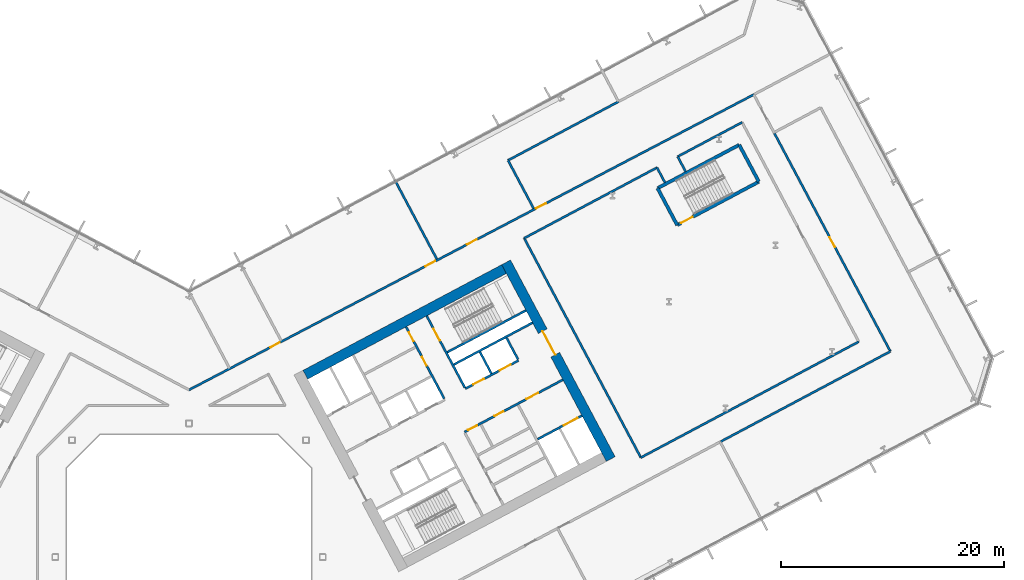
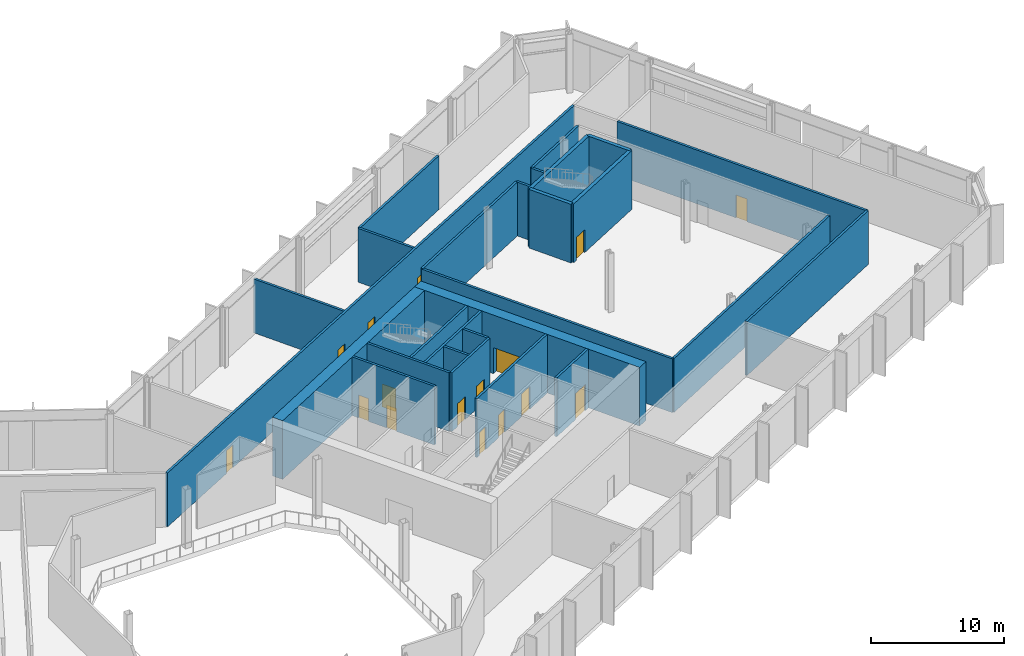
# One storey, part 16 of 32: 27 walls, 16 doors, 16 openings.
"""IFC4 building model written with IfcOpenShell, lengths in metres."""

from ifc_helpers import new_model, si_unit, direction, frame, frame_2d, origin, place, context, subcontext, project, spatial, rectangle, extrude, material, layer, layer_set, type_object, element, fill, save


model = new_model("IFC4")

# Units and contexts
model_context = context("Model", 3, precision=1e-05, world=origin(), true_north=direction((0.0, 1.0)))
body_context = subcontext(model_context, "Body", "Model", "MODEL_VIEW")
ifc_project = project(units=[si_unit("LENGTHUNIT", "METRE"), si_unit("AREAUNIT", "SQUARE_METRE"), si_unit("VOLUMEUNIT", "CUBIC_METRE"), si_unit("PLANEANGLEUNIT", "RADIAN"), si_unit("MASSUNIT", "GRAM", prefix="KILO")], contexts=[model_context])

# Site, building, storey
site_placement = place(None, origin())
site = spatial("IfcSite", under=ifc_project, at=site_placement, CompositionType="ELEMENT")
building_placement = place(site_placement, origin())
building = spatial("IfcBuilding", under=site, at=building_placement, Name="Cormorant Relay Tower", CompositionType="ELEMENT")
storey_placement = place(building_placement, frame((0.0, 0.0, 17.60009765625)))
storey = spatial("IfcBuildingStorey", under=building, at=storey_placement, Name="L03", CompositionType="ELEMENT", Elevation=17.60009765625)

# Wall
ifc_material_1 = material(Name="Concrete 40 MPa", Category="concrete")
ifc_layer_1 = layer(ifc_material_1, 0.199951171875)
ifc_layer_set_1 = layer_set([ifc_layer_1], Name="Core internal wall 200")
wall_type_1 = type_object("IfcWallType", Name="Core internal wall 200", PredefinedType="SOLIDWALL", material=ifc_layer_set_1)
wall_1_placement = place(storey_placement, frame((27.144287109375, 16.471435546875, 0.0), z_axis=(0.0, 0.0, 1.0), x_axis=(-0.469401318492, 0.882984938828, 0.0)))
element("IfcWall", 1, at=wall_1_placement, inside=storey, type_object=wall_type_1, Name="L03 core B shaft and room wall", PredefinedType="SOLIDWALL", context=body_context, shape_type="SweptSolid", body=[
    extrude(rectangle(XDim=2.199951171875, YDim=0.199951171875, at=frame_2d((1.10009765625, 0.0))), origin(), (0.0, 0.0, 1.0), 5.39990234375),
])

# Wall, openings, doors
ifc_material_2 = material(Name="Concrete 50 MPa", Category="concrete")
ifc_layer_2 = layer(ifc_material_2, 0.199951171875)
ifc_layer_set_2 = layer_set([ifc_layer_2], Name="Core shaft wall 200")
wall_type_2 = type_object("IfcWallType", Name="Core shaft wall 200", PredefinedType="SHEAR", material=ifc_layer_set_2)
wall_2_placement = place(storey_placement, frame((22.90625, 14.218017578125, 0.0), z_axis=(0.0, 0.0, 1.0), x_axis=(-0.469480409012, 0.88294288918, 0.0)))
wall_2 = element("IfcWall", 2, at=wall_2_placement, inside=storey, type_object=wall_type_2, Name="L03 core B shaft wall", PredefinedType="SHEAR", context=body_context, shape_type="SweptSolid", body=[
    extrude(rectangle(XDim=7.300048828125, YDim=0.199951171875, at=frame_2d((3.64990234375, 0.0))), origin(), (0.0, 0.0, 1.0), 5.39990234375),
])
opening_1_placement = place(wall_2_placement, frame((3.35009765625, 0.0, 0.0)))
opening_1 = element("IfcOpeningElement", 3, at=opening_1_placement, cuts=wall_2, Name="Opening CDD-076", PredefinedType="OPENING", context=body_context, shape_type="SweptSolid", body=[
    extrude(rectangle(XDim=0.89990234375, YDim=2.10009765625, at=frame_2d((0.449951171875, 1.050048828125))), frame((0.0, 0.10986328125, 0.0), z_axis=(0.0, -1.0, 0.0), x_axis=(1.0, 0.0, 0.0)), (0.0, 0.0, 1.0), 0.219970703125),
])
opening_2_placement = place(wall_2_placement, frame((5.85009765625, 0.0, 0.0)))
opening_2 = element("IfcOpeningElement", 4, at=opening_2_placement, cuts=wall_2, Name="Opening CDD-077", PredefinedType="OPENING", context=body_context, shape_type="SweptSolid", body=[
    extrude(rectangle(XDim=0.89990234375, YDim=2.10009765625, at=frame_2d((0.449951171875, 1.050048828125))), frame((0.0, 0.10986328125, 0.0), z_axis=(0.0, -1.0, 0.0), x_axis=(1.0, 0.0, 0.0)), (0.0, 0.0, 1.0), 0.219970703125),
])
ifc_material_3 = material(Name="Steel fire door", Category="steel")
door_type_1 = type_object("IfcDoorType", Name="Core room door 900x2100", OperationType="SINGLE_SWING_LEFT", PredefinedType="DOOR", material=ifc_material_3)
door_1_placement = place(opening_1_placement, origin())
door_1 = element("IfcDoor", 5, at=door_1_placement, inside=storey, type_object=door_type_1, Name="Core room door 900x2100", OperationType="SINGLE_SWING_RIGHT", OverallHeight=2.10009765625, OverallWidth=0.89990234375, PredefinedType="DOOR", context=body_context, shape_type="SweptSolid", body=[
    extrude(rectangle(XDim=0.89990234375, YDim=2.10009765625, at=frame_2d((0.449951171875, 1.050048828125))), frame((0.0, 0.02490234375, 0.0), z_axis=(0.0, -1.0, 0.0), x_axis=(1.0, 0.0, 0.0)), (0.0, 0.0, 1.0), 0.050048828125),
])
fill(opening_1, door_1)
door_2_placement = place(opening_2_placement, origin())
door_2 = element("IfcDoor", 6, at=door_2_placement, inside=storey, type_object=door_type_1, Name="Core room door 900x2100", OperationType="SINGLE_SWING_LEFT", OverallHeight=2.10009765625, OverallWidth=0.89990234375, PredefinedType="DOOR", context=body_context, shape_type="SweptSolid", body=[
    extrude(rectangle(XDim=0.89990234375, YDim=2.10009765625, at=frame_2d((0.449951171875, 1.050048828125))), frame((0.0, 0.02490234375, 0.0), z_axis=(0.0, -1.0, 0.0), x_axis=(1.0, 0.0, 0.0)), (0.0, 0.0, 1.0), 0.050048828125),
])
fill(opening_2, door_2)

# Wall, opening, door
wall_3_placement = place(storey_placement, frame((24.760498046875, 15.2041015625, 0.0), z_axis=(0.0, 0.0, 1.0), x_axis=(-0.469494272526, 0.882935517501, 0.0)))
wall_3 = element("IfcWall", 7, at=wall_3_placement, inside=storey, type_object=wall_type_2, Name="L03 core B shaft wall", PredefinedType="SHEAR", context=body_context, shape_type="SweptSolid", body=[
    extrude(rectangle(XDim=7.2998046875, YDim=0.199951171875, at=frame_2d((3.64990234375, 0.0))), origin(), (0.0, 0.0, 1.0), 5.39990234375),
])
opening_3_placement = place(wall_3_placement, frame((4.800048828125, 0.0, 0.0)))
opening_3 = element("IfcOpeningElement", 8, at=opening_3_placement, cuts=wall_3, Name="Opening CDB-022", PredefinedType="OPENING", context=body_context, shape_type="SweptSolid", body=[
    extrude(rectangle(XDim=1.199951171875, YDim=2.10009765625, at=frame_2d((0.60009765625, 1.050048828125))), frame((0.0, 0.10986328125, 0.0), z_axis=(0.0, -1.0, 0.0), x_axis=(1.0, 0.0, 0.0)), (0.0, 0.0, 1.0), 0.219970703125),
])
ifc_material_4 = material(Name="Steel fire door", Category="steel")
door_type_2 = type_object("IfcDoorType", Name="Core stair door 1200x2100", OperationType="SINGLE_SWING_LEFT", PredefinedType="DOOR", material=ifc_material_4)
door_3_placement = place(opening_3_placement, frame((1.199951171875, 0.0, 0.0), z_axis=(0.0, 0.0, 1.0), x_axis=(-1.0, 0.0, 0.0)))
door_3 = element("IfcDoor", 9, at=door_3_placement, inside=storey, type_object=door_type_2, Name="Core stair door 1200x2100", OperationType="SINGLE_SWING_RIGHT", OverallHeight=2.10009765625, OverallWidth=1.199951171875, PredefinedType="DOOR", context=body_context, shape_type="SweptSolid", body=[
    extrude(rectangle(XDim=1.199951171875, YDim=2.10009765625, at=frame_2d((0.60009765625, 1.050048828125))), frame((0.0, 0.02490234375, 0.0), z_axis=(0.0, -1.0, 0.0), x_axis=(1.0, 0.0, 0.0)), (0.0, 0.0, 1.0), 0.050048828125),
])
fill(opening_3, door_3)

# Wall
wall_4_placement = place(storey_placement, frame((29.5283203125, 17.739013671875, 0.0), z_axis=(0.0, 0.0, 1.0), x_axis=(-0.469401318492, 0.882984938828, 0.0)))
element("IfcWall", 10, at=wall_4_placement, inside=storey, type_object=wall_type_2, Name="L03 core B shaft wall", PredefinedType="SHEAR", context=body_context, shape_type="SweptSolid", body=[
    extrude(rectangle(XDim=2.199951171875, YDim=0.199951171875, at=frame_2d((1.10009765625, 0.0))), origin(), (0.0, 0.0, 1.0), 5.39990234375),
])

# Wall, opening, door
wall_5_placement = place(storey_placement, frame((31.295654296875, 10.5810546875, 0.0), z_axis=(0.0, 0.0, 1.0), x_axis=(0.882960433586, 0.469447412093, 0.0)))
wall_5 = element("IfcWall", 11, at=wall_5_placement, inside=storey, type_object=wall_type_2, Name="L03 core B shaft wall", PredefinedType="SHEAR", context=body_context, shape_type="SweptSolid", body=[
    extrude(rectangle(XDim=4.5, YDim=0.199951171875, at=frame_2d((2.25, 0.0))), origin(), (0.0, 0.0, 1.0), 5.39990234375),
])
opening_4_placement = place(wall_5_placement, frame((2.64990234375, 0.0, 0.0)))
opening_4 = element("IfcOpeningElement", 12, at=opening_4_placement, cuts=wall_5, Name="Opening LD3-008", PredefinedType="OPENING", context=body_context, shape_type="SweptSolid", body=[
    extrude(rectangle(XDim=1.39990234375, YDim=2.39990234375, at=frame_2d((0.699951171875, 1.199951171875))), frame((0.0, 0.10986328125, 0.0), z_axis=(0.0, -1.0, 0.0), x_axis=(1.0, 0.0, 0.0)), (0.0, 0.0, 1.0), 0.219970703125),
])
ifc_material_5 = material(Name="Stainless steel 316", Category="steel")
door_type_3 = type_object("IfcDoorType", Name="Lift landing door 1400x2400", OperationType="DOUBLE_DOOR_SLIDING", PredefinedType="DOOR", material=ifc_material_5)
door_4_placement = place(opening_4_placement, origin())
door_4 = element("IfcDoor", 13, at=door_4_placement, inside=storey, type_object=door_type_3, Name="SV2 landing door", OperationType="DOUBLE_DOOR_SLIDING", OverallHeight=2.39990234375, OverallWidth=1.39990234375, PredefinedType="DOOR", context=body_context, shape_type="SweptSolid", body=[
    extrude(rectangle(XDim=1.39990234375, YDim=2.39990234375, at=frame_2d((0.699951171875, 1.199951171875))), frame((0.0, 0.02490234375, 0.0), z_axis=(0.0, -1.0, 0.0), x_axis=(1.0, 0.0, 0.0)), (0.0, 0.0, 1.0), 0.050048828125),
])
fill(opening_4, door_4)

# Wall, openings, doors
wall_6_placement = place(storey_placement, frame((24.72607421875, 11.2216796875, 0.0), z_axis=(0.0, 0.0, 1.0), x_axis=(0.882940221191, 0.469485426614, 0.0)))
wall_6 = element("IfcWall", 14, at=wall_6_placement, inside=storey, type_object=wall_type_2, Name="L03 core B shaft wall", PredefinedType="SHEAR", context=body_context, shape_type="SweptSolid", body=[
    extrude(rectangle(XDim=10.0, YDim=0.199951171875, at=frame_2d((5.0, 0.0))), origin(), (0.0, 0.0, 1.0), 5.39990234375),
])
opening_5_placement = place(wall_6_placement, frame((6.300048828125, 0.0, 0.0)))
opening_5 = element("IfcOpeningElement", 15, at=opening_5_placement, cuts=wall_6, Name="Opening CDC-016", PredefinedType="OPENING", context=body_context, shape_type="SweptSolid", body=[
    extrude(rectangle(XDim=1.199951171875, YDim=2.10009765625, at=frame_2d((0.60009765625, 1.050048828125))), frame((0.0, 0.10986328125, 0.0), z_axis=(0.0, -1.0, 0.0), x_axis=(1.0, 0.0, 0.0)), (0.0, 0.0, 1.0), 0.219970703125),
])
opening_6_placement = place(wall_6_placement, frame((0.360107421875, 0.0, 0.0)))
opening_6 = element("IfcOpeningElement", 16, at=opening_6_placement, cuts=wall_6, Name="Opening CDD-074", PredefinedType="OPENING", context=body_context, shape_type="SweptSolid", body=[
    extrude(rectangle(XDim=0.89990234375, YDim=2.10009765625, at=frame_2d((0.449951171875, 1.050048828125))), frame((0.0, 0.10986328125, 0.0), z_axis=(0.0, -1.0, 0.0), x_axis=(1.0, 0.0, 0.0)), (0.0, 0.0, 1.0), 0.219970703125),
])
opening_7_placement = place(wall_6_placement, frame((3.06005859375, 0.0, 0.0)))
opening_7 = element("IfcOpeningElement", 17, at=opening_7_placement, cuts=wall_6, Name="Opening CDD-075", PredefinedType="OPENING", context=body_context, shape_type="SweptSolid", body=[
    extrude(rectangle(XDim=0.89990234375, YDim=2.10009765625, at=frame_2d((0.449951171875, 1.050048828125))), frame((0.0, 0.10986328125, 0.0), z_axis=(0.0, -1.0, 0.0), x_axis=(1.0, 0.0, 0.0)), (0.0, 0.0, 1.0), 0.219970703125),
])
ifc_material_6 = material(Name="Steel fire door", Category="steel")
door_type_4 = type_object("IfcDoorType", Name="Core lobby door 1200x2100", OperationType="SINGLE_SWING_LEFT", PredefinedType="DOOR", material=ifc_material_6)
door_5_placement = place(opening_5_placement, frame((1.199951171875, 0.0, 0.0), z_axis=(0.0, 0.0, 1.0), x_axis=(-1.0, 0.0, 0.0)))
door_5 = element("IfcDoor", 18, at=door_5_placement, inside=storey, type_object=door_type_4, Name="Core lobby door 1200x2100", OperationType="SINGLE_SWING_RIGHT", OverallHeight=2.10009765625, OverallWidth=1.199951171875, PredefinedType="DOOR", context=body_context, shape_type="SweptSolid", body=[
    extrude(rectangle(XDim=1.199951171875, YDim=2.10009765625, at=frame_2d((0.60009765625, 1.050048828125))), frame((0.0, 0.02490234375, 0.0), z_axis=(0.0, -1.0, 0.0), x_axis=(1.0, 0.0, 0.0)), (0.0, 0.0, 1.0), 0.050048828125),
])
fill(opening_5, door_5)
door_6_placement = place(opening_6_placement, frame((0.89990234375, 0.0, 0.0), z_axis=(0.0, 0.0, 1.0), x_axis=(-1.0, 0.0, 0.0)))
door_6 = element("IfcDoor", 19, at=door_6_placement, inside=storey, type_object=door_type_1, Name="Core room door 900x2100", OperationType="SINGLE_SWING_RIGHT", OverallHeight=2.10009765625, OverallWidth=0.89990234375, PredefinedType="DOOR", context=body_context, shape_type="SweptSolid", body=[
    extrude(rectangle(XDim=0.89990234375, YDim=2.10009765625, at=frame_2d((0.449951171875, 1.050048828125))), frame((0.0, 0.02490234375, 0.0), z_axis=(0.0, -1.0, 0.0), x_axis=(1.0, 0.0, 0.0)), (0.0, 0.0, 1.0), 0.050048828125),
])
fill(opening_6, door_6)
door_7_placement = place(opening_7_placement, frame((0.89990234375, 0.0, 0.0), z_axis=(0.0, 0.0, 1.0), x_axis=(-1.0, 0.0, 0.0)))
door_7 = element("IfcDoor", 20, at=door_7_placement, inside=storey, type_object=door_type_1, Name="Core room door 900x2100", OperationType="SINGLE_SWING_RIGHT", OverallHeight=2.10009765625, OverallWidth=0.89990234375, PredefinedType="DOOR", context=body_context, shape_type="SweptSolid", body=[
    extrude(rectangle(XDim=0.89990234375, YDim=2.10009765625, at=frame_2d((0.449951171875, 1.050048828125))), frame((0.0, 0.02490234375, 0.0), z_axis=(0.0, -1.0, 0.0), x_axis=(1.0, 0.0, 0.0)), (0.0, 0.0, 1.0), 0.050048828125),
])
fill(opening_7, door_7)

wall_7_placement = place(storey_placement, frame((24.807373046875, 15.11572265625, 0.0), z_axis=(0.0, 0.0, 1.0), x_axis=(0.882942972946, 0.469480251476, 0.0)))
wall_7 = element("IfcWall", 21, at=wall_7_placement, inside=storey, type_object=wall_type_2, Name="L03 core B shaft wall", PredefinedType="SHEAR", context=body_context, shape_type="SweptSolid", body=[
    extrude(rectangle(XDim=5.39990234375, YDim=0.199951171875, at=frame_2d((2.699951171875, 0.0))), origin(), (0.0, 0.0, 1.0), 5.39990234375),
])
opening_8_placement = place(wall_7_placement, frame((0.800048828125, 0.0, 0.0)))
opening_8 = element("IfcOpeningElement", 22, at=opening_8_placement, cuts=wall_7, Name="Opening LD1-022", PredefinedType="OPENING", context=body_context, shape_type="SweptSolid", body=[
    extrude(rectangle(XDim=1.10009765625, YDim=2.10009765625, at=frame_2d((0.550048828125, 1.050048828125))), frame((0.0, 0.10986328125, 0.0), z_axis=(0.0, -1.0, 0.0), x_axis=(1.0, 0.0, 0.0)), (0.0, 0.0, 1.0), 0.219970703125),
])
opening_9_placement = place(wall_7_placement, frame((3.5, 0.0, 0.0)))
opening_9 = element("IfcOpeningElement", 23, at=opening_9_placement, cuts=wall_7, Name="Opening LD1-023", PredefinedType="OPENING", context=body_context, shape_type="SweptSolid", body=[
    extrude(rectangle(XDim=1.10009765625, YDim=2.10009765625, at=frame_2d((0.550048828125, 1.050048828125))), frame((0.0, 0.10986328125, 0.0), z_axis=(0.0, -1.0, 0.0), x_axis=(1.0, 0.0, 0.0)), (0.0, 0.0, 1.0), 0.219970703125),
])
ifc_material_7 = material(Name="Stainless steel 316", Category="steel")
door_type_5 = type_object("IfcDoorType", Name="Lift landing door 1100x2100", OperationType="DOUBLE_DOOR_SLIDING", PredefinedType="DOOR", material=ifc_material_7)
door_8_placement = place(opening_8_placement, origin())
door_8 = element("IfcDoor", 24, at=door_8_placement, inside=storey, type_object=door_type_5, Name="LR3 landing door", OperationType="DOUBLE_DOOR_SLIDING", OverallHeight=2.10009765625, OverallWidth=1.10009765625, PredefinedType="DOOR", context=body_context, shape_type="SweptSolid", body=[
    extrude(rectangle(XDim=1.10009765625, YDim=2.10009765625, at=frame_2d((0.550048828125, 1.050048828125))), frame((0.0, 0.02490234375, 0.0), z_axis=(0.0, -1.0, 0.0), x_axis=(1.0, 0.0, 0.0)), (0.0, 0.0, 1.0), 0.050048828125),
])
fill(opening_8, door_8)
door_9_placement = place(opening_9_placement, origin())
door_9 = element("IfcDoor", 25, at=door_9_placement, inside=storey, type_object=door_type_5, Name="LR4 landing door", OperationType="DOUBLE_DOOR_SLIDING", OverallHeight=2.10009765625, OverallWidth=1.10009765625, PredefinedType="DOOR", context=body_context, shape_type="SweptSolid", body=[
    extrude(rectangle(XDim=1.10009765625, YDim=2.10009765625, at=frame_2d((0.550048828125, 1.050048828125))), frame((0.0, 0.02490234375, 0.0), z_axis=(0.0, -1.0, 0.0), x_axis=(1.0, 0.0, 0.0)), (0.0, 0.0, 1.0), 0.050048828125),
])
fill(opening_9, door_9)

# Walls
wall_8_placement = place(storey_placement, frame((23.76904296875, 17.28173828125, 0.0), z_axis=(0.0, 0.0, 1.0), x_axis=(0.882940221191, 0.469485426614, 0.0)))
element("IfcWall", 26, at=wall_8_placement, inside=storey, type_object=wall_type_2, Name="L03 core B shaft wall", PredefinedType="SHEAR", context=body_context, shape_type="SweptSolid", body=[
    extrude(rectangle(XDim=8.0, YDim=0.199951171875, at=frame_2d((4.0, 0.0))), origin(), (0.0, 0.0, 1.0), 5.39990234375),
])
wall_9_placement = place(storey_placement, frame((23.18212890625, 18.385498046875, 0.0), z_axis=(0.0, 0.0, 1.0), x_axis=(0.88295287151, 0.469461634952, 0.0)))
element("IfcWall", 27, at=wall_9_placement, inside=storey, type_object=wall_type_2, Name="L03 core B shaft wall", PredefinedType="SHEAR", context=body_context, shape_type="SweptSolid", body=[
    extrude(rectangle(XDim=7.999755859375, YDim=0.199951171875, at=frame_2d((4.0, 0.0))), origin(), (0.0, 0.0, 1.0), 5.39990234375),
])

# Wall, opening, door
ifc_material_8 = material(Name="Concrete 70 MPa", Category="concrete")
ifc_layer_3 = layer(ifc_material_8, 0.89990234375)
ifc_layer_set_3 = layer_set([ifc_layer_3], Name="Core wall 900")
wall_type_3 = type_object("IfcWallType", Name="Core wall 900", PredefinedType="SHEAR", material=ifc_layer_set_3)
wall_10_placement = place(storey_placement, frame((37.849365234375, 8.799072265625, 0.0), z_axis=(0.0, 0.0, 1.0), x_axis=(-0.469465789982, 0.882950662289, 0.0)))
wall_10 = element("IfcWall", 28, at=wall_10_placement, inside=storey, type_object=wall_type_3, Name="L03 core B wall", PredefinedType="SHEAR", context=body_context, shape_type="SweptSolid", body=[
    extrude(rectangle(XDim=20.000244140625, YDim=0.89990234375, at=frame_2d((10.0, 0.0))), origin(), (0.0, 0.0, 1.0), 5.39990234375),
])
opening_10_placement = place(wall_10_placement, frame((10.60009765625, 0.0, 0.0)))
opening_10 = element("IfcOpeningElement", 29, at=opening_10_placement, cuts=wall_10, Name="Opening CDA-016", PredefinedType="OPENING", context=body_context, shape_type="SweptSolid", body=[
    extrude(rectangle(XDim=2.39990234375, YDim=2.39990234375, at=frame_2d((1.199951171875, 1.199951171875))), frame((0.0, 0.4599609375, 0.0), z_axis=(0.0, -1.0, 0.0), x_axis=(1.0, 0.0, 0.0)), (0.0, 0.0, 1.0), 0.919921875),
])
ifc_material_9 = material(Name="Steel fire door", Category="steel")
door_type_6 = type_object("IfcDoorType", Name="Core lobby door 2400x2400", OperationType="DOUBLE_DOOR_SINGLE_SWING", PredefinedType="DOOR", material=ifc_material_9)
door_10_placement = place(opening_10_placement, origin())
door_10 = element("IfcDoor", 30, at=door_10_placement, inside=storey, type_object=door_type_6, Name="Core lobby door 2400x2400", OperationType="DOUBLE_DOOR_SINGLE_SWING", OverallHeight=2.39990234375, OverallWidth=2.39990234375, PredefinedType="DOOR", context=body_context, shape_type="SweptSolid", body=[
    extrude(rectangle(XDim=2.39990234375, YDim=2.39990234375, at=frame_2d((1.199951171875, 1.199951171875))), frame((0.0, 0.02490234375, 0.0), z_axis=(0.0, -1.0, 0.0), x_axis=(1.0, 0.0, 0.0)), (0.0, 0.0, 1.0), 0.050048828125),
])
fill(opening_10, door_10)

# Wall
wall_11_placement = place(storey_placement, frame((10.4384765625, 16.3662109375, 0.0), z_axis=(0.0, 0.0, 1.0), x_axis=(0.88294509198, 0.469476266226, 0.0)))
element("IfcWall", 31, at=wall_11_placement, inside=storey, type_object=wall_type_3, Name="L03 core B wall", PredefinedType="SHEAR", context=body_context, shape_type="SweptSolid", body=[
    extrude(rectangle(XDim=20.199951171875, YDim=0.89990234375, at=frame_2d((10.10009765625, 0.0))), origin(), (0.0, 0.0, 1.0), 5.39990234375),
])

# Wall, openings, doors
ifc_material_10 = material(Name="Fire-rated gypsum board partition")
ifc_layer_4 = layer(ifc_material_10, 0.199951171875)
ifc_layer_set_4 = layer_set([ifc_layer_4], Name="Fire-rated gypsum partition 200")
wall_type_4 = type_object("IfcWallType", Name="Fire-rated gypsum partition 200", PredefinedType="PARTITIONING", material=ifc_layer_set_4)
wall_12_placement = place(storey_placement, frame((0.0, 15.007080078125, 0.0), z_axis=(0.0, 0.0, 1.0), x_axis=(0.886151087154, 0.463396429352, 0.0)))
wall_12 = element("IfcWall", 32, at=wall_12_placement, inside=storey, type_object=wall_type_4, Name="wall/L03/part/34", PredefinedType="PARTITIONING", context=body_context, shape_type="SweptSolid", body=[
    extrude(rectangle(XDim=57.2060546875, YDim=0.199951171875, at=frame_2d((28.60302734375, 0.0))), origin(), (0.0, 0.0, 1.0), 4.949951171875),
])
opening_11_placement = place(wall_12_placement, frame((35.14892578125, 0.0, 0.0)))
opening_11 = element("IfcOpeningElement", 33, at=opening_11_placement, cuts=wall_12, Name="Opening FD1-027", PredefinedType="OPENING", context=body_context, shape_type="SweptSolid", body=[
    extrude(rectangle(XDim=1.0, YDim=2.10009765625, at=frame_2d((0.5, 1.050048828125))), frame((0.0, 0.10986328125, 0.0), z_axis=(0.0, -1.0, 0.0), x_axis=(1.0, 0.0, 0.0)), (0.0, 0.0, 1.0), 0.219970703125),
])
opening_12_placement = place(wall_12_placement, frame((28.14990234375, 0.0, 0.0)))
opening_12 = element("IfcOpeningElement", 34, at=opening_12_placement, cuts=wall_12, Name="Opening FD1-028", PredefinedType="OPENING", context=body_context, shape_type="SweptSolid", body=[
    extrude(rectangle(XDim=1.0, YDim=2.10009765625, at=frame_2d((0.5, 1.050048828125))), frame((0.0, 0.10986328125, 0.0), z_axis=(0.0, -1.0, 0.0), x_axis=(1.0, 0.0, 0.0)), (0.0, 0.0, 1.0), 0.219970703125),
])
opening_13_placement = place(wall_12_placement, frame((23.948974609375, 0.0, 0.0)))
opening_13 = element("IfcOpeningElement", 35, at=opening_13_placement, cuts=wall_12, Name="Opening FD1-012", PredefinedType="OPENING", context=body_context, shape_type="SweptSolid", body=[
    extrude(rectangle(XDim=1.0, YDim=2.10009765625, at=frame_2d((0.5, 1.050048828125))), frame((0.0, 0.10986328125, 0.0), z_axis=(0.0, -1.0, 0.0), x_axis=(1.0, 0.0, 0.0)), (0.0, 0.0, 1.0), 0.219970703125),
])
opening_14_placement = place(wall_12_placement, frame((8.25, 0.0, 0.0)))
opening_14 = element("IfcOpeningElement", 36, at=opening_14_placement, cuts=wall_12, Name="Opening D2-003", PredefinedType="OPENING", context=body_context, shape_type="SweptSolid", body=[
    extrude(rectangle(XDim=0.949951171875, YDim=2.10009765625, at=frame_2d((0.47509765625, 1.050048828125))), frame((0.0, 0.10986328125, 0.0), z_axis=(0.0, -1.0, 0.0), x_axis=(1.0, 0.0, 0.0)), (0.0, 0.0, 1.0), 0.219970703125),
])
ifc_material_11 = material(Name="Fire-rated steel door", Category="steel")
door_type_7 = type_object("IfcDoorType", Name="Fire door 1000 x 2100", OperationType="SINGLE_SWING_LEFT", PredefinedType="DOOR", material=ifc_material_11)
door_11_placement = place(opening_11_placement, origin())
door_11 = element("IfcDoor", 37, at=door_11_placement, inside=storey, type_object=door_type_7, Name="door/L03/8", OperationType="SINGLE_SWING_LEFT", OverallHeight=2.10009765625, OverallWidth=1.0, PredefinedType="DOOR", context=body_context, shape_type="SweptSolid", body=[
    extrude(rectangle(XDim=1.0, YDim=2.10009765625, at=frame_2d((0.5, 1.050048828125))), frame((0.0, 0.02490234375, 0.0), z_axis=(0.0, -1.0, 0.0), x_axis=(1.0, 0.0, 0.0)), (0.0, 0.0, 1.0), 0.050048828125),
])
fill(opening_11, door_11)
door_12_placement = place(opening_12_placement, origin())
door_12 = element("IfcDoor", 38, at=door_12_placement, inside=storey, type_object=door_type_7, Name="door/L03/9", OperationType="SINGLE_SWING_LEFT", OverallHeight=2.10009765625, OverallWidth=1.0, PredefinedType="DOOR", context=body_context, shape_type="SweptSolid", body=[
    extrude(rectangle(XDim=1.0, YDim=2.10009765625, at=frame_2d((0.5, 1.050048828125))), frame((0.0, 0.02490234375, 0.0), z_axis=(0.0, -1.0, 0.0), x_axis=(1.0, 0.0, 0.0)), (0.0, 0.0, 1.0), 0.050048828125),
])
fill(opening_12, door_12)
door_13_placement = place(opening_13_placement, origin())
door_13 = element("IfcDoor", 39, at=door_13_placement, inside=storey, type_object=door_type_7, Name="door/L03/10", OperationType="SINGLE_SWING_RIGHT", OverallHeight=2.10009765625, OverallWidth=1.0, PredefinedType="DOOR", context=body_context, shape_type="SweptSolid", body=[
    extrude(rectangle(XDim=1.0, YDim=2.10009765625, at=frame_2d((0.5, 1.050048828125))), frame((0.0, 0.02490234375, 0.0), z_axis=(0.0, -1.0, 0.0), x_axis=(1.0, 0.0, 0.0)), (0.0, 0.0, 1.0), 0.050048828125),
])
fill(opening_13, door_13)
ifc_material_12 = material(Name="Timber door", Category="wood")
door_type_8 = type_object("IfcDoorType", Name="Toilet door 950 x 2100", OperationType="SINGLE_SWING_LEFT", PredefinedType="DOOR", material=ifc_material_12)
door_14_placement = place(opening_14_placement, origin())
door_14 = element("IfcDoor", 40, at=door_14_placement, inside=storey, type_object=door_type_8, Name="door/L03/11", OperationType="SINGLE_SWING_RIGHT", OverallHeight=2.10009765625, OverallWidth=0.949951171875, PredefinedType="DOOR", context=body_context, shape_type="SweptSolid", body=[
    extrude(rectangle(XDim=0.949951171875, YDim=2.10009765625, at=frame_2d((0.47509765625, 1.050048828125))), frame((0.0, 0.02490234375, 0.0), z_axis=(0.0, -1.0, 0.0), x_axis=(1.0, 0.0, 0.0)), (0.0, 0.0, 1.0), 0.050048828125),
])
fill(opening_14, door_14)

# Walls
wall_13_placement = place(storey_placement, frame((18.47509765625, 33.833984375, 0.0), z_axis=(0.0, 0.0, 1.0), x_axis=(0.469545336722, -0.882908362608, 0.0)))
element("IfcWall", 41, at=wall_13_placement, inside=storey, type_object=wall_type_4, Name="wall/L03/part/50", PredefinedType="PARTITIONING", context=body_context, shape_type="SweptSolid", body=[
    extrude(rectangle(XDim=8.021728515625, YDim=0.199951171875, at=frame_2d((4.0107421875, 0.0))), origin(), (0.0, 0.0, 1.0), 4.949951171875),
])
wall_14_placement = place(storey_placement, frame((30.9287109375, 31.294189453125, 0.0), z_axis=(0.0, 0.0, 1.0), x_axis=(-0.469522706503, 0.882920397362, 0.0)))
element("IfcWall", 42, at=wall_14_placement, inside=storey, type_object=wall_type_4, Name="wall/L03/part/53", PredefinedType="PARTITIONING", context=body_context, shape_type="SweptSolid", body=[
    extrude(rectangle(XDim=4.889404296875, YDim=0.199951171875, at=frame_2d((2.44482421875, 0.0))), origin(), (0.0, 0.0, 1.0), 4.949951171875),
])
wall_15_placement = place(storey_placement, frame((28.633056640625, 35.611083984375, 0.0), z_axis=(0.0, 0.0, 1.0), x_axis=(0.882938561172, 0.469488548524, 0.0)))
element("IfcWall", 43, at=wall_15_placement, inside=storey, type_object=wall_type_4, Name="wall/L03/part/54", PredefinedType="PARTITIONING", context=body_context, shape_type="SweptSolid", body=[
    extrude(rectangle(XDim=11.22705078125, YDim=0.199951171875, at=frame_2d((5.613525390625, 0.0))), origin(), (0.0, 0.0, 1.0), 4.949951171875),
])
wall_16_placement = place(storey_placement, frame((44.5771484375, 34.595458984375, 0.0), z_axis=(0.0, 0.0, 1.0), x_axis=(-0.469512532402, 0.882925807708, 0.0)))
element("IfcWall", 44, at=wall_16_placement, inside=storey, type_object=wall_type_4, Name="wall/L03/part/60", PredefinedType="PARTITIONING", context=body_context, shape_type="SweptSolid", body=[
    extrude(rectangle(XDim=1.531982421875, YDim=0.199951171875, at=frame_2d((0.76611328125, 0.0))), origin(), (0.0, 0.0, 1.0), 4.949951171875),
])
wall_17_placement = place(storey_placement, frame((43.85791015625, 35.947998046875, 0.0), z_axis=(0.0, 0.0, 1.0), x_axis=(0.882949648076, 0.469467697464, 0.0)))
element("IfcWall", 45, at=wall_17_placement, inside=storey, type_object=wall_type_4, Name="wall/L03/part/61", PredefinedType="PARTITIONING", context=body_context, shape_type="SweptSolid", body=[
    extrude(rectangle(XDim=6.5498046875, YDim=0.199951171875, at=frame_2d((3.27490234375, 0.0))), origin(), (0.0, 0.0, 1.0), 4.949951171875),
])
wall_18_placement = place(storey_placement, frame((60.110107421875, 19.3330078125, 0.0), z_axis=(0.0, 0.0, 1.0), x_axis=(-0.882943552693, -0.469479161154, 0.0)))
element("IfcWall", 46, at=wall_18_placement, inside=storey, type_object=wall_type_4, Name="wall/L03/part/63", PredefinedType="PARTITIONING", context=body_context, shape_type="SweptSolid", body=[
    extrude(rectangle(XDim=22.14990234375, YDim=0.199951171875, at=frame_2d((11.074951171875, 0.0))), origin(), (0.0, 0.0, 1.0), 4.949951171875),
])
wall_19_placement = place(storey_placement, frame((40.552978515625, 8.93408203125, 0.0), z_axis=(0.0, 0.0, 1.0), x_axis=(-0.46949404623, 0.882935637832, 0.0)))
element("IfcWall", 47, at=wall_19_placement, inside=storey, type_object=wall_type_4, Name="wall/L03/part/64", PredefinedType="PARTITIONING", context=body_context, shape_type="SweptSolid", body=[
    extrude(rectangle(XDim=22.300537109375, YDim=0.199951171875, at=frame_2d((11.150390625, 0.0))), origin(), (0.0, 0.0, 1.0), 4.949951171875),
])
wall_20_placement = place(storey_placement, frame((30.0830078125, 28.6240234375, 0.0), z_axis=(0.0, 0.0, 1.0), x_axis=(0.882964893563, 0.469439023448, 0.0)))
element("IfcWall", 48, at=wall_20_placement, inside=storey, type_object=wall_type_4, Name="wall/L03/part/65", PredefinedType="PARTITIONING", context=body_context, shape_type="SweptSolid", body=[
    extrude(rectangle(XDim=13.5009765625, YDim=0.199951171875, at=frame_2d((6.75048828125, 0.0))), origin(), (0.0, 0.0, 1.0), 4.949951171875),
])
wall_21_placement = place(storey_placement, frame((42.00390625, 34.9619140625, 0.0), z_axis=(0.0, 0.0, 1.0), x_axis=(0.469583805178, -0.882887903369, 0.0)))
element("IfcWall", 49, at=wall_21_placement, inside=storey, type_object=wall_type_4, Name="wall/L03/part/66", PredefinedType="PARTITIONING", context=body_context, shape_type="SweptSolid", body=[
    extrude(rectangle(XDim=1.52685546875, YDim=0.199951171875, at=frame_2d((0.763427734375, 0.0))), origin(), (0.0, 0.0, 1.0), 4.949951171875),
])

# Wall, opening, door
wall_22_placement = place(storey_placement, frame((52.544921875, 38.032958984375, 0.0), z_axis=(0.0, 0.0, 1.0), x_axis=(0.469474673387, -0.882945938916, 0.0)))
wall_22 = element("IfcWall", 50, at=wall_22_placement, inside=storey, type_object=wall_type_4, Name="wall/L03/part/67", PredefinedType="PARTITIONING", context=body_context, shape_type="SweptSolid", body=[
    extrude(rectangle(XDim=22.1630859375, YDim=0.199951171875, at=frame_2d((11.08154296875, 0.0))), origin(), (0.0, 0.0, 1.0), 4.949951171875),
])
opening_15_placement = place(wall_22_placement, frame((10.551025390625, 0.0, 0.0)))
opening_15 = element("IfcOpeningElement", 51, at=opening_15_placement, cuts=wall_22, Name="Opening FD1-025", PredefinedType="OPENING", context=body_context, shape_type="SweptSolid", body=[
    extrude(rectangle(XDim=1.0, YDim=2.10009765625, at=frame_2d((0.5, 1.050048828125))), frame((0.0, 0.10986328125, 0.0), z_axis=(0.0, -1.0, 0.0), x_axis=(1.0, 0.0, 0.0)), (0.0, 0.0, 1.0), 0.219970703125),
])
door_15_placement = place(opening_15_placement, origin())
door_15 = element("IfcDoor", 52, at=door_15_placement, inside=storey, type_object=door_type_7, Name="door/L03/6", OperationType="SINGLE_SWING_LEFT", OverallHeight=2.10009765625, OverallWidth=1.0, PredefinedType="DOOR", context=body_context, shape_type="SweptSolid", body=[
    extrude(rectangle(XDim=1.0, YDim=2.10009765625, at=frame_2d((0.5, 1.050048828125))), frame((0.0, 0.02490234375, 0.0), z_axis=(0.0, -1.0, 0.0), x_axis=(1.0, 0.0, 0.0)), (0.0, 0.0, 1.0), 0.050048828125),
])
fill(opening_15, door_15)

# Walls
wall_23_placement = place(storey_placement, frame((62.949951171875, 18.464111328125, 0.0), z_axis=(0.0, 0.0, 1.0), x_axis=(-0.882953495127, -0.469460462065, 0.0)))
element("IfcWall", 53, at=wall_23_placement, inside=storey, type_object=wall_type_4, Name="wall/L03/part/68", PredefinedType="PARTITIONING", context=body_context, shape_type="SweptSolid", body=[
    extrude(rectangle(XDim=17.230712890625, YDim=0.199951171875, at=frame_2d((8.615234375, 0.0))), origin(), (0.0, 0.0, 1.0), 4.949951171875),
])
ifc_material_13 = material(Name="Concrete 50 MPa", Category="concrete")
ifc_layer_5 = layer(ifc_material_13, 0.300048828125)
ifc_layer_set_5 = layer_set([ifc_layer_5], Name="Remote stair wall 300")
wall_type_5 = type_object("IfcWallType", Name="Remote stair wall 300", PredefinedType="SHEAR", material=ifc_layer_set_5)
wall_24_placement = place(storey_placement, frame((49.384033203125, 37.00390625, 0.0), z_axis=(0.0, 0.0, 1.0), x_axis=(0.46946936446, -0.882948761726, 0.0)))
element("IfcWall", 54, at=wall_24_placement, inside=storey, type_object=wall_type_5, Name="L03 exit stair RB1 wall", PredefinedType="SHEAR", context=body_context, shape_type="SweptSolid", body=[
    extrude(rectangle(XDim=3.75, YDim=0.300048828125, at=frame_2d((1.875, 0.0))), origin(), (0.0, 0.0, 1.0), 5.39990234375),
])

# Wall, opening, door
wall_25_placement = place(storey_placement, frame((51.14453125, 33.69287109375, 0.0), z_axis=(0.0, 0.0, 1.0), x_axis=(-0.882945809314, -0.469474917132, 0.0)))
wall_25 = element("IfcWall", 55, at=wall_25_placement, inside=storey, type_object=wall_type_5, Name="L03 exit stair RB1 wall", PredefinedType="SHEAR", context=body_context, shape_type="SweptSolid", body=[
    extrude(rectangle(XDim=8.30029296875, YDim=0.300048828125, at=frame_2d((4.150146484375, 0.0))), origin(), (0.0, 0.0, 1.0), 5.39990234375),
])
opening_16_placement = place(wall_25_placement, frame((6.72509765625, 0.0, 0.0)))
opening_16 = element("IfcOpeningElement", 56, at=opening_16_placement, cuts=wall_25, Name="Opening CDB-023", PredefinedType="OPENING", context=body_context, shape_type="SweptSolid", body=[
    extrude(rectangle(XDim=1.199951171875, YDim=2.10009765625, at=frame_2d((0.60009765625, 1.050048828125))), frame((0.0, 0.159912109375, 0.0), z_axis=(0.0, -1.0, 0.0), x_axis=(1.0, 0.0, 0.0)), (0.0, 0.0, 1.0), 0.320068359375),
])
door_16_placement = place(opening_16_placement, frame((1.199951171875, 0.0, 0.0), z_axis=(0.0, 0.0, 1.0), x_axis=(-1.0, 0.0, 0.0)))
door_16 = element("IfcDoor", 57, at=door_16_placement, inside=storey, type_object=door_type_2, Name="Exit stair RB1 door", OperationType="SINGLE_SWING_LEFT", OverallHeight=2.10009765625, OverallWidth=1.199951171875, PredefinedType="DOOR", context=body_context, shape_type="SweptSolid", body=[
    extrude(rectangle(XDim=1.199951171875, YDim=2.10009765625, at=frame_2d((0.60009765625, 1.050048828125))), frame((0.0, 0.02490234375, 0.0), z_axis=(0.0, -1.0, 0.0), x_axis=(1.0, 0.0, 0.0)), (0.0, 0.0, 1.0), 0.050048828125),
])
fill(opening_16, door_16)

# Walls
wall_26_placement = place(storey_placement, frame((43.81591796875, 29.796142578125, 0.0), z_axis=(0.0, 0.0, 1.0), x_axis=(-0.46946936446, 0.882948761726, 0.0)))
element("IfcWall", 58, at=wall_26_placement, inside=storey, type_object=wall_type_5, Name="L03 exit stair RB1 wall", PredefinedType="SHEAR", context=body_context, shape_type="SweptSolid", body=[
    extrude(rectangle(XDim=3.75, YDim=0.300048828125, at=frame_2d((1.875, 0.0))), origin(), (0.0, 0.0, 1.0), 5.39990234375),
])
wall_27_placement = place(storey_placement, frame((42.055419921875, 33.107177734375, 0.0), z_axis=(0.0, 0.0, 1.0), x_axis=(0.882945809314, 0.469474917132, 0.0)))
element("IfcWall", 59, at=wall_27_placement, inside=storey, type_object=wall_type_5, Name="L03 exit stair RB1 wall", PredefinedType="SHEAR", context=body_context, shape_type="SweptSolid", body=[
    extrude(rectangle(XDim=8.30029296875, YDim=0.300048828125, at=frame_2d((4.150146484375, 0.0))), origin(), (0.0, 0.0, 1.0), 5.39990234375),
])

save(model, "model.ifc")
